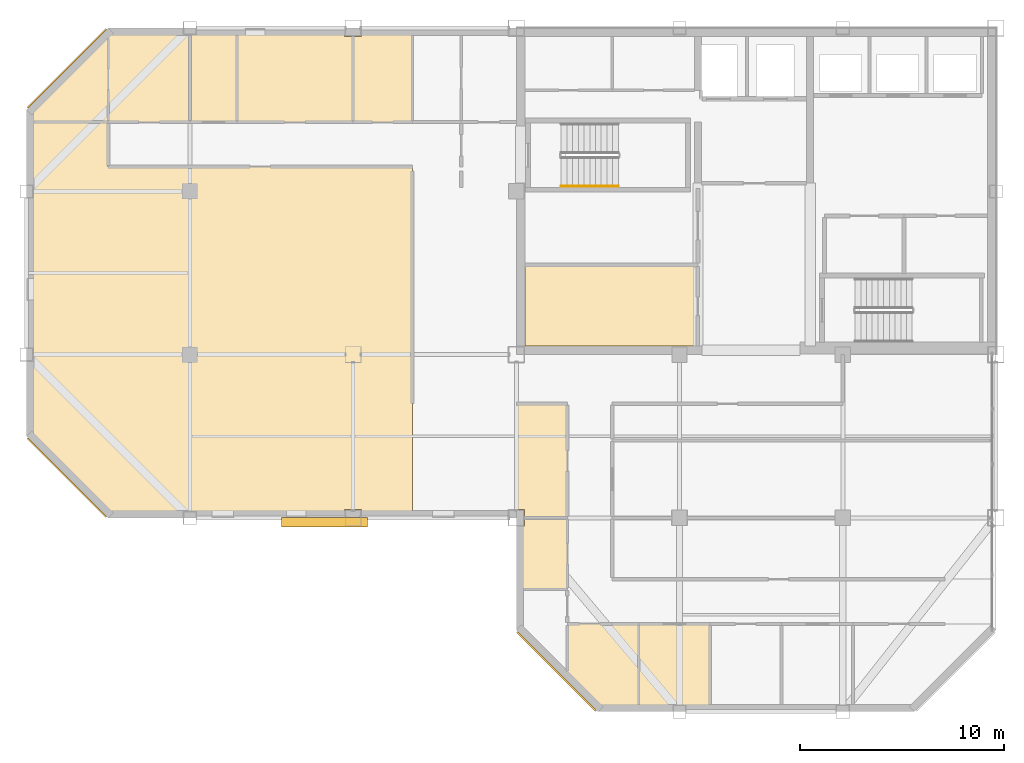
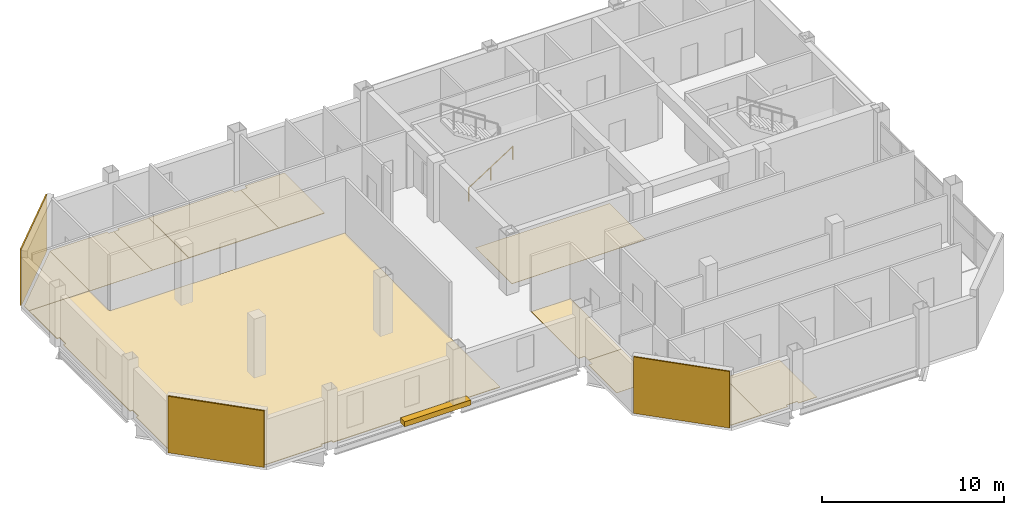
# One storey, part 11 of 13: 14 coverings, 1 railing, 1 shading device.
"""IFC4 building model written with IfcOpenShell, lengths in metres."""

from ifc_helpers import new_model, si_unit, direction, frame, origin, origin_2d, place, context, subcontext, project, spatial, polyline, rectangle, circle, outline, extrude, material, layer, layer_set, type_object, element, save


model = new_model("IFC4")

# Units and contexts
model_context = context("Model", 3, precision=1e-05, world=origin(), true_north=direction((0.0, 1.0)))
body_context = subcontext(model_context, "Body", "Model", "MODEL_VIEW")
ifc_project = project(units=[si_unit("LENGTHUNIT", "METRE"), si_unit("AREAUNIT", "SQUARE_METRE"), si_unit("VOLUMEUNIT", "CUBIC_METRE"), si_unit("PLANEANGLEUNIT", "RADIAN"), si_unit("MASSUNIT", "GRAM", prefix="KILO")], contexts=[model_context])

# Site, building, storey
site_placement = place(None, origin())
site = spatial("IfcSite", under=ifc_project, at=site_placement, CompositionType="ELEMENT")
building_placement = place(site_placement, origin())
building = spatial("IfcBuilding", under=site, at=building_placement, Name="Qianrong Seaharbour Tower", CompositionType="ELEMENT")
storey_placement = place(building_placement, frame((0.0, 0.0, 299.199951171875)))
storey = spatial("IfcBuildingStorey", under=building, at=storey_placement, Name="L72", CompositionType="ELEMENT", Elevation=299.199951171875)

# Coverings
ifc_material_1 = material(Name="Unitised red brick cladding on Precast concrete C45/55", Category="masonry")
ifc_layer_1 = layer(ifc_material_1, 0.080078125)
ifc_layer_set_1 = layer_set([ifc_layer_1], Name="Unitised red brick cladding on Precast concrete C45/55")
covering_type_1 = type_object("IfcCoveringType", Name="COV-CLAD-RED-BRICK-80", PredefinedType="CLADDING", material=ifc_layer_set_1)
for number, where, z_axis, x_axis, name in (
    (1, (18.4716796875, 29.9716796875, 0.0), (0.0, 0.0, 1.0), (-0.707106781187, 0.707106781187, 0.0), "L72 Chamfer Corner Brick Cladding 02"),
    (2, (18.4716796875, 50.0283203125, 0.0), (0.0, 0.0, 1.0), (0.707106781187, 0.707106781187, 0.0), "L72 Chamfer Corner Brick Cladding 04"),
    (3, (42.4716796875, 20.4716796875, 0.0), (0.0, 0.0, 1.0), (-0.707106781187, 0.707106781187, 0.0), "L72 Chamfer Corner Brick Cladding 09"),
):
    element("IfcCovering", number, at=place(storey_placement, frame(where, z_axis=z_axis, x_axis=x_axis)), inside=storey, type_object=covering_type_1, Name=name, PredefinedType="CLADDING", context=body_context, shape_type="SweptSolid", body=[
        extrude(rectangle(XDim=5.456787109375, YDim=0.080078125, at=origin_2d()), origin(), (0.0, 0.0, 1.0), 3.784912109375),
    ])
ifc_material_2 = material(Name="Acoustic modular carpet tile flooring")
ifc_layer_2 = layer(ifc_material_2, 0.02001953125)
ifc_layer_set_2 = layer_set([ifc_layer_2], Name="Acoustic modular carpet tile flooring")
covering_type_2 = type_object("IfcCoveringType", Name="COV-FLOOR-CARPET-20", PredefinedType="FLOORING", material=ifc_layer_set_2)
covering_1_placement = place(storey_placement, origin())
element("IfcCovering", 4, at=covering_1_placement, inside=storey, type_object=covering_type_2, Name="L72 Corporate Archive Room Finish Flooring", PredefinedType="FLOORING", context=body_context, shape_type="SweptSolid", body=[
    extrude(outline(polyline([(49.39990234375, 40.39990234375), (49.39990234375, 36.419921875), (40.919921875, 36.419921875), (40.919921875, 40.39990234375), (49.39990234375, 40.39990234375)])), origin(), (0.0, 0.0, 1.0), 0.02001953125),
])
covering_2_placement = place(storey_placement, origin())
element("IfcCovering", 5, at=covering_2_placement, inside=storey, type_object=covering_type_2, Name="L72 Focus Room 2 Finish Flooring", PredefinedType="FLOORING", context=body_context, shape_type="SweptSolid", body=[
    extrude(outline(polyline([(20.5, 51.75244140625), (20.572509765625, 51.824951171875), (24.1650390625, 51.824951171875), (24.1650390625, 51.6650390625), (24.5, 51.6650390625), (24.5, 47.39990234375), (20.5, 47.39990234375), (20.5, 51.75244140625)])), origin(), (0.0, 0.0, 1.0), 0.02001953125),
])
covering_3_placement = place(storey_placement, origin())
element("IfcCovering", 6, at=covering_3_placement, inside=storey, type_object=covering_type_2, Name="L72 Meeting Room 3 Finish Flooring", PredefinedType="FLOORING", context=body_context, shape_type="SweptSolid", body=[
    extrude(outline(polyline([(24.5, 51.6650390625), (24.8349609375, 51.6650390625), (24.8349609375, 51.824951171875), (26.800048828125, 51.824951171875), (26.800048828125, 47.39990234375), (24.5, 47.39990234375), (24.5, 51.6650390625)])), origin(), (0.0, 0.0, 1.0), 0.02001953125),
])
covering_4_placement = place(storey_placement, origin())
element("IfcCovering", 7, at=covering_4_placement, inside=storey, type_object=covering_type_2, Name="L72 Wet Pantry 2 Finish Flooring", PredefinedType="FLOORING", context=body_context, shape_type="SweptSolid", body=[
    extrude(outline(polyline([(40.675048828125, 24.5), (40.675048828125, 27.590087890625), (40.909912109375, 27.590087890625), (40.909912109375, 28.0), (43.0, 28.0), (43.0, 24.5), (40.675048828125, 24.5)])), origin(), (0.0, 0.0, 1.0), 0.02001953125),
])
covering_5_placement = place(storey_placement, origin())
element("IfcCovering", 8, at=covering_5_placement, inside=storey, type_object=covering_type_2, Name="L72 Focus Room 3 Finish Flooring", PredefinedType="FLOORING", context=body_context, shape_type="SweptSolid", body=[
    extrude(outline(polyline([(43.0, 28.0), (40.909912109375, 28.0), (40.909912109375, 28.409912109375), (40.5, 28.409912109375), (40.5, 33.60009765625), (43.0, 33.60009765625), (43.0, 28.0)])), origin(), (0.0, 0.0, 1.0), 0.02001953125),
])
covering_6_placement = place(storey_placement, origin())
element("IfcCovering", 9, at=covering_6_placement, inside=storey, type_object=covering_type_2, Name="L72 Meeting Room 2 Finish Flooring", PredefinedType="FLOORING", context=body_context, shape_type="SweptSolid", body=[
    extrude(outline(polyline([(50.0, 18.675048828125), (48.8349609375, 18.675048828125), (48.8349609375, 18.8349609375), (48.1650390625, 18.8349609375), (48.1650390625, 18.675048828125), (46.5, 18.675048828125), (46.5, 22.800048828125), (50.0, 22.800048828125), (50.0, 18.675048828125)])), origin(), (0.0, 0.0, 1.0), 0.02001953125),
])
ifc_material_3 = material(Name="Calcium-sulphate raised access floor tile")
ifc_layer_3 = layer(ifc_material_3, 0.044921875)
ifc_layer_set_3 = layer_set([ifc_layer_3], Name="Calcium-sulphate raised access floor tile")
covering_type_3 = type_object("IfcCoveringType", Name="COV-FLOOR-RAISED-45", PredefinedType="FLOORING", material=ifc_layer_set_3)
covering_7_placement = place(storey_placement, origin())
element("IfcCovering", 10, at=covering_7_placement, inside=storey, type_object=covering_type_3, Name="L72 Open-Plan Office Finish Flooring", PredefinedType="FLOORING", context=body_context, shape_type="SweptSolid", body=[
    extrude(outline(polyline([(32.909912109375, 28.175048828125), (32.909912109375, 28.409912109375), (32.090087890625, 28.409912109375), (32.090087890625, 28.175048828125), (24.8349609375, 28.175048828125), (24.8349609375, 28.3349609375), (24.1650390625, 28.3349609375), (24.1650390625, 28.175048828125), (20.572509765625, 28.175048828125), (16.675048828125, 32.072509765625), (16.675048828125, 35.6650390625), (16.8349609375, 35.6650390625), (16.8349609375, 36.3349609375), (16.675048828125, 36.3349609375), (16.675048828125, 43.6650390625), (16.8349609375, 43.6650390625), (16.8349609375, 44.3349609375), (16.675048828125, 44.3349609375), (16.675048828125, 47.39990234375), (20.5, 47.39990234375), (20.5, 45.199951171875), (35.39990234375, 45.199951171875), (35.39990234375, 28.175048828125), (32.909912109375, 28.175048828125)])), origin(), (0.0, 0.0, 1.0), 0.045166015625),
])
covering_8_placement = place(storey_placement, origin())
element("IfcCovering", 11, at=covering_8_placement, inside=storey, type_object=covering_type_3, Name="L72 Executive Office 1 Finish Flooring", PredefinedType="FLOORING", context=body_context, shape_type="SweptSolid", body=[
    extrude(outline(polyline([(16.675048828125, 47.927490234375), (20.5, 51.75244140625), (20.5, 47.39990234375), (16.675048828125, 47.39990234375), (16.675048828125, 47.927490234375)])), origin(), (0.0, 0.0, 1.0), 0.045166015625),
])
covering_9_placement = place(storey_placement, origin())
element("IfcCovering", 12, at=covering_9_placement, inside=storey, type_object=covering_type_3, Name="L72 Executive Office 4 Finish Flooring", PredefinedType="FLOORING", context=body_context, shape_type="SweptSolid", body=[
    extrude(outline(polyline([(26.800048828125, 51.824951171875), (32.090087890625, 51.824951171875), (32.090087890625, 51.590087890625), (32.5, 51.590087890625), (32.5, 47.39990234375), (26.800048828125, 47.39990234375), (26.800048828125, 51.824951171875)])), origin(), (0.0, 0.0, 1.0), 0.045166015625),
])
covering_10_placement = place(storey_placement, origin())
element("IfcCovering", 13, at=covering_10_placement, inside=storey, type_object=covering_type_3, Name="L72 Executive Office 5 Finish Flooring", PredefinedType="FLOORING", context=body_context, shape_type="SweptSolid", body=[
    extrude(outline(polyline([(32.5, 51.590087890625), (32.909912109375, 51.590087890625), (32.909912109375, 51.824951171875), (35.39990234375, 51.824951171875), (35.39990234375, 47.39990234375), (32.5, 47.39990234375), (32.5, 51.590087890625)])), origin(), (0.0, 0.0, 1.0), 0.045166015625),
])
covering_11_placement = place(storey_placement, origin())
element("IfcCovering", 14, at=covering_11_placement, inside=storey, type_object=covering_type_3, Name="L72 Executive Office 1 Finish Flooring", PredefinedType="FLOORING", context=body_context, shape_type="SweptSolid", body=[
    extrude(outline(polyline([(46.5, 18.675048828125), (44.572509765625, 18.675048828125), (43.0, 20.24755859375), (43.0, 22.800048828125), (46.5, 22.800048828125), (46.5, 18.675048828125)])), origin(), (0.0, 0.0, 1.0), 0.045166015625),
])

# Railing
ifc_material_4 = material(Name="Stainless steel SUS316L continuous handrail", Category="steel")
railing_type = type_object("IfcRailingType", Name="RAIL-STAIR-HANDRAIL-900", PredefinedType="HANDRAIL", material=ifc_material_4)
railing_placement = place(storey_placement, frame((42.699951171875, 44.25, 0.181884765625)))
element("IfcRailing", 15, at=railing_placement, inside=storey, type_object=railing_type, Name="L72 ST-1 stair handrail 1", PredefinedType="HANDRAIL", context=body_context, shape_type="SweptSolid", body=[
    extrude(circle(Radius=0.02392578125, at=origin_2d()), frame((0.0, 0.0, 0.8759765625), z_axis=(0.838705829183, 0.0, 0.544584733623), x_axis=(0.0, 1.0, 0.0)), (0.0, 0.0, 1.0), 3.338623046875),
    extrude(circle(Radius=0.02099609375, at=origin_2d()), origin(), (0.0, 0.0, 1.0), 0.851806640625),
    extrude(circle(Radius=0.02099609375, at=origin_2d()), frame((1.39990234375, 0.0, 0.9091796875)), (0.0, 0.0, 1.0), 0.851806640625),
    extrude(circle(Radius=0.02099609375, at=origin_2d()), frame((2.800048828125, 0.0, 1.818115234375)), (0.0, 0.0, 1.0), 0.851806640625),
])

# Shading device
ifc_material_5 = material(Name="White architectural precast concrete C45/55", Category="concrete")
shading_device_type = type_object("IfcShadingDeviceType", Name="SHD-SUNSHADE-WHITE-320", PredefinedType="AWNING", material=ifc_material_5)
shading_device_placement = place(storey_placement, frame((31.10009765625, 27.780029296875, -0.02001953125), z_axis=(0.0, 0.0, 1.0), x_axis=(1.0, 0.0, 0.0)))
element("IfcShadingDevice", 16, at=shading_device_placement, inside=storey, type_object=shading_device_type, Name="L72 Climbing White Precast Ribbon Canopy Fin", PredefinedType="AWNING", context=body_context, shape_type="SweptSolid", body=[
    extrude(rectangle(XDim=4.199951171875, YDim=0.4599609375, at=origin_2d()), origin(), (0.0, 0.0, 1.0), 0.340087890625),
])

save(model, "model.ifc")
